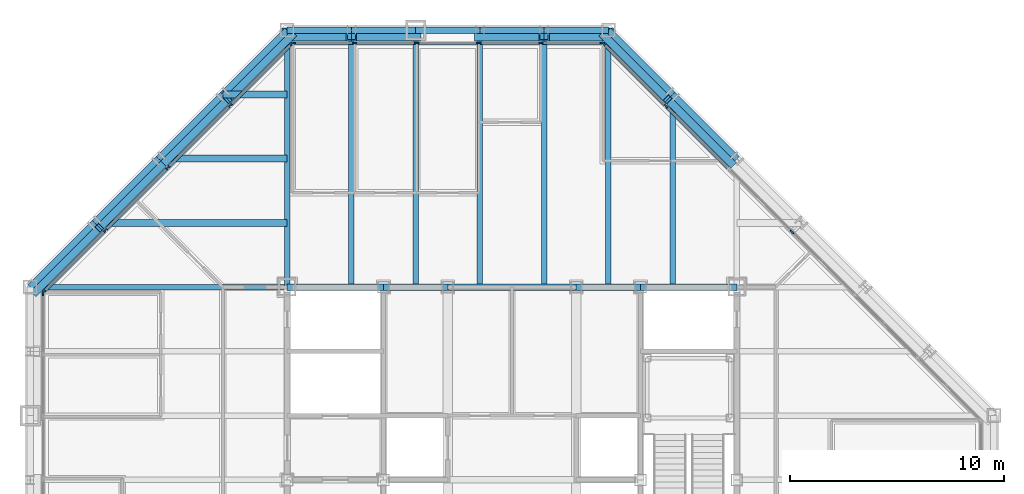
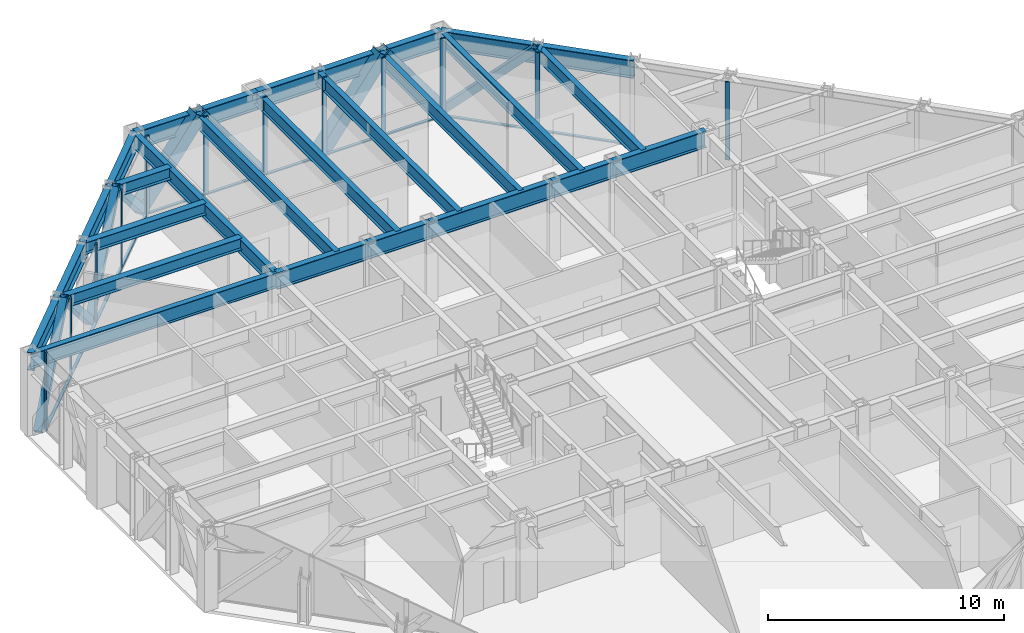
# One storey, part 8 of 16: 36 members, 27 beams, 4 elements without a shape of their own.
"""IFC4 building model written with IfcOpenShell, lengths in metres."""

from ifc_helpers import new_model, si_unit, direction, frame, origin, origin_2d, place, context, subcontext, project, spatial, rectangle, hollow_rectangle, i_section, extrude, material, layer, layer_set, material_profile, profile_set, type_object, element, aggregate, save


model = new_model("IFC4")

# Units and contexts
model_context = context("Model", 3, precision=1e-05, world=origin(), true_north=direction((0.0, 1.0)))
body_context = subcontext(model_context, "Body", "Model", "MODEL_VIEW")
ifc_project = project(units=[si_unit("LENGTHUNIT", "METRE"), si_unit("AREAUNIT", "SQUARE_METRE"), si_unit("VOLUMEUNIT", "CUBIC_METRE"), si_unit("PLANEANGLEUNIT", "RADIAN"), si_unit("MASSUNIT", "GRAM", prefix="KILO")], contexts=[model_context])

# Site, building, storey
site_placement = place(None, origin())
site = spatial("IfcSite", under=ifc_project, at=site_placement, CompositionType="ELEMENT")
building_placement = place(site_placement, origin())
building = spatial("IfcBuilding", under=site, at=building_placement, Name="Chuquiago Exchange Tower", CompositionType="ELEMENT")
storey_placement = place(building_placement, frame((0.0, 0.0, 239.10009765625)))
storey = spatial("IfcBuildingStorey", under=building, at=storey_placement, Name="L53", CompositionType="ELEMENT", Elevation=239.10009765625)

# Beams
ifc_material_1 = material(Name="Steel ASTM A992", Category="steel")
ifc_material_profile_1 = material_profile(ifc_material_1, i_section(OverallWidth=0.25390625, OverallDepth=0.683349609375, WebThickness=0.012451171875, FlangeThickness=0.018798828125, at=origin_2d()), Name="W27X94")
ifc_profile_set_1 = profile_set([ifc_material_profile_1], Name="Steel ASTM A992")
beam_type_1 = type_object("IfcBeamType", Name="B1 W27X94", PredefinedType="BEAM", material=ifc_profile_set_1)
for number, where, z_axis, x_axis, name in (
    (1, (15.0, 33.0, 3.6982421875), (0.0, 1.0, 0.0), (-1.0, 0.0, 0.0), "FB-L54-infill-15_33-15_45-0"),
    (2, (18.0, 33.0, 3.6982421875), (0.0, 1.0, 0.0), (-1.0, 0.0, 0.0), "FB-L54-infill-18_33-18_45-0"),
    (3, (21.0, 33.0, 3.6982421875), (0.0, 1.0, 0.0), (-1.0, 0.0, 0.0), "FB-L54-infill-21_33-21_45-0"),
    (4, (24.0, 33.0, 3.6982421875), (0.0, 1.0, 0.0), (-1.0, 0.0, 0.0), "FB-L54-infill-24_33-24_45-0"),
    (5, (27.0, 33.0, 3.6982421875), (0.0, 1.0, 0.0), (-1.0, 0.0, 0.0), "FB-L54-infill-27_33-27_45-0"),
):
    element("IfcBeam", number, at=place(storey_placement, frame(where, z_axis=z_axis, x_axis=x_axis)), inside=storey, type_object=beam_type_1, Name=name, PredefinedType="BEAM", context=body_context, shape_type="SweptSolid", body=[
        extrude(i_section(OverallWidth=0.25390625, OverallDepth=0.683349609375, WebThickness=0.012451171875, FlangeThickness=0.018798828125, at=origin_2d()), origin(), (0.0, 0.0, 1.0), 12.0),
    ])
beam_1_placement = place(storey_placement, frame((30.0, 33.0, 3.6982421875), z_axis=(0.0, 1.0, 0.0), x_axis=(-1.0, 0.0, 0.0)))
element("IfcBeam", 6, at=beam_1_placement, inside=storey, type_object=beam_type_1, Name="FB-L54-infill-30_33-30_42-0", PredefinedType="BEAM", context=body_context, shape_type="SweptSolid", body=[
    extrude(i_section(OverallWidth=0.25390625, OverallDepth=0.683349609375, WebThickness=0.012451171875, FlangeThickness=0.018798828125, at=origin_2d()), origin(), (0.0, 0.0, 1.0), 9.0),
])
ifc_material_2 = material(Name="Steel ASTM A992", Category="steel")
ifc_material_profile_2 = material_profile(ifc_material_2, i_section(OverallWidth=0.3251953125, OverallDepth=0.612060546875, WebThickness=0.0126953125, FlangeThickness=0.01904296875, at=origin_2d()), Name="W24X104")
ifc_profile_set_2 = profile_set([ifc_material_profile_2], Name="Steel ASTM A992")
beam_type_2 = type_object("IfcBeamType", Name="B2 W24X104", PredefinedType="BEAM", material=ifc_profile_set_2)
beam_2_placement = place(storey_placement, frame((12.0, 36.0, 3.73388671875), z_axis=(-1.0, 0.0, 0.0), x_axis=(0.0, -1.0, 0.0)))
element("IfcBeam", 7, at=beam_2_placement, inside=storey, type_object=beam_type_2, Name="FB-L54-corner-12_36-3_36-0", PredefinedType="BEAM", context=body_context, shape_type="SweptSolid", body=[
    extrude(i_section(OverallWidth=0.3251953125, OverallDepth=0.612060546875, WebThickness=0.0126953125, FlangeThickness=0.01904296875, at=origin_2d()), origin(), (0.0, 0.0, 1.0), 9.0),
])
beam_3_placement = place(storey_placement, frame((12.0, 39.0, 3.73388671875), z_axis=(-1.0, 0.0, 0.0), x_axis=(0.0, -1.0, 0.0)))
element("IfcBeam", 8, at=beam_3_placement, inside=storey, type_object=beam_type_2, Name="FB-L54-corner-12_39-6_39-0", PredefinedType="BEAM", context=body_context, shape_type="SweptSolid", body=[
    extrude(i_section(OverallWidth=0.3251953125, OverallDepth=0.612060546875, WebThickness=0.0126953125, FlangeThickness=0.01904296875, at=origin_2d()), origin(), (0.0, 0.0, 1.0), 6.0),
])
beam_4_placement = place(storey_placement, frame((12.0, 42.0, 3.73388671875), z_axis=(-1.0, 0.0, 0.0), x_axis=(0.0, -1.0, 0.0)))
element("IfcBeam", 9, at=beam_4_placement, inside=storey, type_object=beam_type_2, Name="FB-L54-corner-12_42-9_42-0", PredefinedType="BEAM", context=body_context, shape_type="SweptSolid", body=[
    extrude(i_section(OverallWidth=0.3251953125, OverallDepth=0.612060546875, WebThickness=0.0126953125, FlangeThickness=0.01904296875, at=origin_2d()), origin(), (0.0, 0.0, 1.0), 3.0),
])
ifc_material_3 = material(Name="Steel ASTM A992", Category="steel")
ifc_material_profile_3 = material_profile(ifc_material_3, i_section(OverallWidth=0.2919921875, OverallDepth=0.8583984375, WebThickness=0.01708984375, FlangeThickness=0.031005859375, at=origin_2d()), Name="W33X169")
ifc_profile_set_3 = profile_set([ifc_material_profile_3], Name="Steel ASTM A992")
beam_type_3 = type_object("IfcBeamType", Name="B3 W33X169", PredefinedType="BEAM", material=ifc_profile_set_3)
beam_5_placement = place(storey_placement, frame((12.0, 33.0, 3.610595703125), z_axis=(1.0, 0.0, 0.0), x_axis=(0.0, 1.0, 0.0)))
element("IfcBeam", 10, at=beam_5_placement, inside=storey, type_object=beam_type_3, Name="CB-L54-12_33-16.5_33", PredefinedType="BEAM", context=body_context, shape_type="SweptSolid", body=[
    extrude(i_section(OverallWidth=0.2919921875, OverallDepth=0.8583984375, WebThickness=0.01708984375, FlangeThickness=0.031005859375, at=origin_2d()), origin(), (0.0, 0.0, 1.0), 4.5),
])
beam_6_placement = place(storey_placement, frame((16.5, 33.0, 3.610595703125), z_axis=(1.0, 0.0, 0.0), x_axis=(0.0, 1.0, 0.0)))
element("IfcBeam", 11, at=beam_6_placement, inside=storey, type_object=beam_type_3, Name="CB-L54-16.5_33-19.5_33", PredefinedType="BEAM", context=body_context, shape_type="SweptSolid", body=[
    extrude(i_section(OverallWidth=0.2919921875, OverallDepth=0.8583984375, WebThickness=0.01708984375, FlangeThickness=0.031005859375, at=origin_2d()), origin(), (0.0, 0.0, 1.0), 3.0),
])
beam_7_placement = place(storey_placement, frame((19.5, 33.0, 3.610595703125), z_axis=(1.0, 0.0, 0.0), x_axis=(0.0, 1.0, 0.0)))
element("IfcBeam", 12, at=beam_7_placement, inside=storey, type_object=beam_type_3, Name="CB-L54-19.5_33-25.5_33", PredefinedType="BEAM", context=body_context, shape_type="SweptSolid", body=[
    extrude(i_section(OverallWidth=0.2919921875, OverallDepth=0.8583984375, WebThickness=0.01708984375, FlangeThickness=0.031005859375, at=origin_2d()), origin(), (0.0, 0.0, 1.0), 6.0),
])
beam_8_placement = place(storey_placement, frame((25.5, 33.0, 3.610595703125), z_axis=(1.0, 0.0, 0.0), x_axis=(0.0, 1.0, 0.0)))
element("IfcBeam", 13, at=beam_8_placement, inside=storey, type_object=beam_type_3, Name="CB-L54-25.5_33-28.5_33", PredefinedType="BEAM", context=body_context, shape_type="SweptSolid", body=[
    extrude(i_section(OverallWidth=0.2919921875, OverallDepth=0.8583984375, WebThickness=0.01708984375, FlangeThickness=0.031005859375, at=origin_2d()), origin(), (0.0, 0.0, 1.0), 3.0),
])
beam_9_placement = place(storey_placement, frame((28.5, 33.0, 3.610595703125), z_axis=(1.0, 0.0, 0.0), x_axis=(0.0, 1.0, 0.0)))
element("IfcBeam", 14, at=beam_9_placement, inside=storey, type_object=beam_type_3, Name="CB-L54-28.5_33-33_33", PredefinedType="BEAM", context=body_context, shape_type="SweptSolid", body=[
    extrude(i_section(OverallWidth=0.2919921875, OverallDepth=0.8583984375, WebThickness=0.01708984375, FlangeThickness=0.031005859375, at=origin_2d()), origin(), (0.0, 0.0, 1.0), 4.5),
])

# Curtain wall, members
ifc_material_4 = material(Name="Aluminium curtain wall system", Category="aluminium")
ifc_layer_1 = layer(ifc_material_4, 0.22509765625)
ifc_layer_set_1 = layer_set([ifc_layer_1], Name="CW2 office curtain wall")
curtain_wall_type_1 = type_object("IfcCurtainWallType", Name="CW2 office curtain wall", PredefinedType="NOTDEFINED", material=ifc_layer_set_1)
curtain_wall_1_placement = place(storey_placement, origin())
curtain_wall_1 = element("IfcCurtainWall", 15, at=curtain_wall_1_placement, inside=storey, type_object=curtain_wall_type_1, Name="CW2 curtain wall L53", PredefinedType="NOTDEFINED")
ifc_material_5 = material(Name="Aluminium mullion, pale anodised", Category="aluminium")
ifc_material_profile_4 = material_profile(ifc_material_5, rectangle(XDim=0.06494140625, YDim=0.22509765625, at=origin_2d()), Name="AL 65x225")
ifc_profile_set_4 = profile_set([ifc_material_profile_4], Name="Aluminium mullion, pale anodised")
member_type_1 = type_object("IfcMemberType", Name="CW2-M mullion 65x225", PredefinedType="MULLION", material=ifc_profile_set_4)
member_1_placement = place(storey_placement, frame((26.718994140625, 44.39990234375, 0.0), z_axis=(0.0, 0.0, 1.0), x_axis=(0.0, -1.0, 0.0)))
member_1 = element("IfcMember", 16, at=member_1_placement, type_object=member_type_1, Name="CW2 mullion 1", PredefinedType="MULLION", context=body_context, shape_type="SweptSolid", body=[
    extrude(rectangle(XDim=0.06494140625, YDim=0.22509765625, at=origin_2d()), origin(), (0.0, 0.0, 1.0), 4.039794921875),
])
member_2_placement = place(storey_placement, frame((23.850830078125, 44.39990234375, 0.0), z_axis=(0.0, 0.0, 1.0), x_axis=(0.0, -1.0, 0.0)))
member_2 = element("IfcMember", 17, at=member_2_placement, type_object=member_type_1, Name="CW2 mullion 2", PredefinedType="MULLION", context=body_context, shape_type="SweptSolid", body=[
    extrude(rectangle(XDim=0.06494140625, YDim=0.22509765625, at=origin_2d()), origin(), (0.0, 0.0, 1.0), 4.039794921875),
])
member_3_placement = place(storey_placement, frame((20.9501953125, 44.39990234375, 0.0), z_axis=(0.0, 0.0, 1.0), x_axis=(0.0, -1.0, 0.0)))
member_3 = element("IfcMember", 18, at=member_3_placement, type_object=member_type_1, Name="CW2 mullion 3", PredefinedType="MULLION", context=body_context, shape_type="SweptSolid", body=[
    extrude(rectangle(XDim=0.06494140625, YDim=0.22509765625, at=origin_2d()), origin(), (0.0, 0.0, 1.0), 4.039794921875),
])
member_4_placement = place(storey_placement, frame((18.0498046875, 44.39990234375, 0.0), z_axis=(0.0, 0.0, 1.0), x_axis=(0.0, -1.0, 0.0)))
member_4 = element("IfcMember", 19, at=member_4_placement, type_object=member_type_1, Name="CW2 mullion 4", PredefinedType="MULLION", context=body_context, shape_type="SweptSolid", body=[
    extrude(rectangle(XDim=0.06494140625, YDim=0.22509765625, at=origin_2d()), origin(), (0.0, 0.0, 1.0), 4.039794921875),
])
member_5_placement = place(storey_placement, frame((15.149169921875, 44.39990234375, 0.0), z_axis=(0.0, 0.0, 1.0), x_axis=(0.0, -1.0, 0.0)))
member_5 = element("IfcMember", 20, at=member_5_placement, type_object=member_type_1, Name="CW2 mullion 5", PredefinedType="MULLION", context=body_context, shape_type="SweptSolid", body=[
    extrude(rectangle(XDim=0.06494140625, YDim=0.22509765625, at=origin_2d()), origin(), (0.0, 0.0, 1.0), 4.039794921875),
])
member_6_placement = place(storey_placement, frame((12.281005859375, 44.39990234375, 0.0), z_axis=(0.0, 0.0, 1.0), x_axis=(0.0, -1.0, 0.0)))
member_6 = element("IfcMember", 21, at=member_6_placement, type_object=member_type_1, Name="CW2 mullion 6", PredefinedType="MULLION", context=body_context, shape_type="SweptSolid", body=[
    extrude(rectangle(XDim=0.06494140625, YDim=0.22509765625, at=origin_2d()), origin(), (0.0, 0.0, 1.0), 4.039794921875),
])

# Curtain wall, member
curtain_wall_2_placement = place(storey_placement, origin())
curtain_wall_2 = element("IfcCurtainWall", 22, at=curtain_wall_2_placement, inside=storey, type_object=curtain_wall_type_1, Name="CW2 curtain wall L53", PredefinedType="NOTDEFINED")
member_7_placement = place(storey_placement, frame((0.60009765625, 32.718994140625, 0.0), z_axis=(0.0, 0.0, 1.0), x_axis=(1.0, 0.0, 0.0)))
member_7 = element("IfcMember", 23, at=member_7_placement, type_object=member_type_1, Name="CW2 mullion 1", PredefinedType="MULLION", context=body_context, shape_type="SweptSolid", body=[
    extrude(rectangle(XDim=0.06494140625, YDim=0.22509765625, at=origin_2d()), origin(), (0.0, 0.0, 1.0), 4.039794921875),
])
aggregate(curtain_wall_2, [member_7])

# Member
ifc_material_6 = material(Name="Aluminium transom, pale anodised", Category="aluminium")
ifc_material_profile_5 = material_profile(ifc_material_6, rectangle(XDim=0.139892578125, YDim=0.06494140625, at=origin_2d()), Name="AL 140x65")
ifc_profile_set_5 = profile_set([ifc_material_profile_5], Name="Aluminium transom, pale anodised")
member_type_2 = type_object("IfcMemberType", Name="CW2-T transom 65x140", PredefinedType="MULLION", material=ifc_profile_set_5)
member_8_placement = place(storey_placement, frame((26.6865234375, 44.39990234375, 0.032470703125), z_axis=(-1.0, 0.0, 0.0), x_axis=(0.0, -1.0, 0.0)))
member_8 = element("IfcMember", 24, at=member_8_placement, type_object=member_type_2, Name="CW2 transom 1.1", PredefinedType="MULLION", context=body_context, shape_type="SweptSolid", body=[
    extrude(rectangle(XDim=0.139892578125, YDim=0.06494140625, at=origin_2d()), origin(), (0.0, 0.0, 1.0), 2.80322265625),
])

member_9_placement = place(storey_placement, frame((23.818359375, 44.39990234375, 0.032470703125), z_axis=(-1.0, 0.0, 0.0), x_axis=(0.0, -1.0, 0.0)))
member_9 = element("IfcMember", 25, at=member_9_placement, type_object=member_type_2, Name="CW2 transom 2.1", PredefinedType="MULLION", context=body_context, shape_type="SweptSolid", body=[
    extrude(rectangle(XDim=0.139892578125, YDim=0.06494140625, at=origin_2d()), origin(), (0.0, 0.0, 1.0), 2.83544921875),
])

member_10_placement = place(storey_placement, frame((20.917724609375, 44.39990234375, 0.032470703125), z_axis=(-1.0, 0.0, 0.0), x_axis=(0.0, -1.0, 0.0)))
member_10 = element("IfcMember", 26, at=member_10_placement, type_object=member_type_2, Name="CW2 transom 3.1", PredefinedType="MULLION", context=body_context, shape_type="SweptSolid", body=[
    extrude(rectangle(XDim=0.139892578125, YDim=0.06494140625, at=origin_2d()), origin(), (0.0, 0.0, 1.0), 2.83544921875),
])

member_11_placement = place(storey_placement, frame((18.01708984375, 44.39990234375, 0.032470703125), z_axis=(-1.0, 0.0, 0.0), x_axis=(0.0, -1.0, 0.0)))
member_11 = element("IfcMember", 27, at=member_11_placement, type_object=member_type_2, Name="CW2 transom 4.1", PredefinedType="MULLION", context=body_context, shape_type="SweptSolid", body=[
    extrude(rectangle(XDim=0.139892578125, YDim=0.06494140625, at=origin_2d()), origin(), (0.0, 0.0, 1.0), 2.83544921875),
])

member_12_placement = place(storey_placement, frame((15.11669921875, 44.39990234375, 0.032470703125), z_axis=(-1.0, 0.0, 0.0), x_axis=(0.0, -1.0, 0.0)))
member_12 = element("IfcMember", 28, at=member_12_placement, type_object=member_type_2, Name="CW2 transom 5.1", PredefinedType="MULLION", context=body_context, shape_type="SweptSolid", body=[
    extrude(rectangle(XDim=0.139892578125, YDim=0.06494140625, at=origin_2d()), origin(), (0.0, 0.0, 1.0), 2.80322265625),
])

aggregate(curtain_wall_1, [member_1, member_2, member_3, member_4, member_5, member_6, member_8, member_9, member_10, member_11, member_12])

# Curtain wall, members
ifc_material_7 = material(Name="Aluminium curtain wall system", Category="aluminium")
ifc_layer_2 = layer(ifc_material_7, 0.199951171875)
ifc_layer_set_2 = layer_set([ifc_layer_2], Name="CW3 facet curtain wall")
curtain_wall_type_2 = type_object("IfcCurtainWallType", Name="CW3 facet curtain wall", PredefinedType="NOTDEFINED", material=ifc_layer_set_2)
curtain_wall_3_placement = place(storey_placement, origin())
curtain_wall_3 = element("IfcCurtainWall", 29, at=curtain_wall_3_placement, inside=storey, type_object=curtain_wall_type_2, Name="CW3 curtain wall L53", PredefinedType="NOTDEFINED")
ifc_material_8 = material(Name="Aluminium mullion, pale anodised", Category="aluminium")
ifc_material_profile_6 = material_profile(ifc_material_8, rectangle(XDim=0.06494140625, YDim=0.199951171875, at=origin_2d()), Name="AL 65x200")
ifc_profile_set_6 = profile_set([ifc_material_profile_6], Name="Aluminium mullion, pale anodised")
member_type_3 = type_object("IfcMemberType", Name="CW3-M mullion 65x200", PredefinedType="MULLION", material=ifc_profile_set_6)
member_13_placement = place(storey_placement, frame((35.57568359375, 35.57568359375, 0.0), z_axis=(0.0, 0.0, 1.0), x_axis=(-0.707106781187, -0.707106781187, 0.0)))
member_13 = element("IfcMember", 30, at=member_13_placement, type_object=member_type_3, Name="CW3 mullion 4", PredefinedType="MULLION", context=body_context, shape_type="SweptSolid", body=[
    extrude(rectangle(XDim=0.06494140625, YDim=0.199951171875, at=origin_2d()), origin(), (0.0, 0.0, 1.0), 4.039794921875),
])
member_14_placement = place(storey_placement, frame((29.69287109375, 41.45849609375, 0.0), z_axis=(0.0, 0.0, 1.0), x_axis=(-0.707106781187, -0.707106781187, 0.0)))
member_14 = element("IfcMember", 31, at=member_14_placement, type_object=member_type_3, Name="CW3 mullion 6", PredefinedType="MULLION", context=body_context, shape_type="SweptSolid", body=[
    extrude(rectangle(XDim=0.06494140625, YDim=0.199951171875, at=origin_2d()), origin(), (0.0, 0.0, 1.0), 4.039794921875),
])
member_15_placement = place(storey_placement, frame((26.7744140625, 44.376953125, 0.0), z_axis=(0.0, 0.0, 1.0), x_axis=(-0.707106781187, -0.707106781187, 0.0)))
member_15 = element("IfcMember", 32, at=member_15_placement, type_object=member_type_3, Name="CW3 mullion 7", PredefinedType="MULLION", context=body_context, shape_type="SweptSolid", body=[
    extrude(rectangle(XDim=0.06494140625, YDim=0.199951171875, at=origin_2d()), origin(), (0.0, 0.0, 1.0), 4.039794921875),
])

curtain_wall_4_placement = place(storey_placement, origin())
curtain_wall_4 = element("IfcCurtainWall", 33, at=curtain_wall_4_placement, inside=storey, type_object=curtain_wall_type_2, Name="CW3 curtain wall L53", PredefinedType="NOTDEFINED")
member_16_placement = place(storey_placement, frame((12.2255859375, 44.376953125, 0.0), z_axis=(0.0, 0.0, 1.0), x_axis=(0.707106781187, -0.707106781187, 0.0)))
member_16 = element("IfcMember", 34, at=member_16_placement, type_object=member_type_3, Name="CW3 mullion 1", PredefinedType="MULLION", context=body_context, shape_type="SweptSolid", body=[
    extrude(rectangle(XDim=0.06494140625, YDim=0.199951171875, at=origin_2d()), origin(), (0.0, 0.0, 1.0), 4.039794921875),
])
member_17_placement = place(storey_placement, frame((9.33642578125, 41.48779296875, 0.0), z_axis=(0.0, 0.0, 1.0), x_axis=(0.707106781187, -0.707106781187, 0.0)))
member_17 = element("IfcMember", 35, at=member_17_placement, type_object=member_type_3, Name="CW3 mullion 2", PredefinedType="MULLION", context=body_context, shape_type="SweptSolid", body=[
    extrude(rectangle(XDim=0.06494140625, YDim=0.199951171875, at=origin_2d()), origin(), (0.0, 0.0, 1.0), 4.039794921875),
])
member_18_placement = place(storey_placement, frame((6.42431640625, 38.57568359375, 0.0), z_axis=(0.0, 0.0, 1.0), x_axis=(0.707106781187, -0.707106781187, 0.0)))
member_18 = element("IfcMember", 36, at=member_18_placement, type_object=member_type_3, Name="CW3 mullion 3", PredefinedType="MULLION", context=body_context, shape_type="SweptSolid", body=[
    extrude(rectangle(XDim=0.06494140625, YDim=0.199951171875, at=origin_2d()), origin(), (0.0, 0.0, 1.0), 4.039794921875),
])
member_19_placement = place(storey_placement, frame((3.51220703125, 35.66357421875, 0.0), z_axis=(0.0, 0.0, 1.0), x_axis=(0.707106781187, -0.707106781187, 0.0)))
member_19 = element("IfcMember", 37, at=member_19_placement, type_object=member_type_3, Name="CW3 mullion 4", PredefinedType="MULLION", context=body_context, shape_type="SweptSolid", body=[
    extrude(rectangle(XDim=0.06494140625, YDim=0.199951171875, at=origin_2d()), origin(), (0.0, 0.0, 1.0), 4.039794921875),
])
member_20_placement = place(storey_placement, frame((0.623046875, 32.7744140625, 0.0), z_axis=(0.0, 0.0, 1.0), x_axis=(0.707106781187, -0.707106781187, 0.0)))
member_20 = element("IfcMember", 38, at=member_20_placement, type_object=member_type_3, Name="CW3 mullion 5", PredefinedType="MULLION", context=body_context, shape_type="SweptSolid", body=[
    extrude(rectangle(XDim=0.06494140625, YDim=0.199951171875, at=origin_2d()), origin(), (0.0, 0.0, 1.0), 4.039794921875),
])

# Member
ifc_material_9 = material(Name="Aluminium transom, pale anodised", Category="aluminium")
ifc_material_profile_7 = material_profile(ifc_material_9, rectangle(XDim=0.139892578125, YDim=0.06494140625, at=origin_2d()), Name="AL 140x65")
ifc_profile_set_7 = profile_set([ifc_material_profile_7], Name="Aluminium transom, pale anodised")
member_type_4 = type_object("IfcMemberType", Name="CW3-T transom 65x140", PredefinedType="MULLION", material=ifc_profile_set_7)
member_21_placement = place(storey_placement, frame((32.611328125, 38.5400390625, 0.032470703125), z_axis=(-0.707106781187, 0.707106781187, 0.0), x_axis=(-0.707106781187, -0.707106781187, 0.0)))
member_21 = element("IfcMember", 39, at=member_21_placement, type_object=member_type_4, Name="CW3 transom 5.1", PredefinedType="MULLION", context=body_context, shape_type="SweptSolid", body=[
    extrude(rectangle(XDim=0.139892578125, YDim=0.06494140625, at=origin_2d()), origin(), (0.0, 0.0, 1.0), 4.094970703125),
])

member_22_placement = place(storey_placement, frame((29.669921875, 41.4814453125, 0.032470703125), z_axis=(-0.707106781187, 0.707106781187, 0.0), x_axis=(-0.707106781187, -0.707106781187, 0.0)))
member_22 = element("IfcMember", 40, at=member_22_placement, type_object=member_type_4, Name="CW3 transom 6.1", PredefinedType="MULLION", context=body_context, shape_type="SweptSolid", body=[
    extrude(rectangle(XDim=0.139892578125, YDim=0.06494140625, at=origin_2d()), origin(), (0.0, 0.0, 1.0), 4.0625),
])

aggregate(curtain_wall_3, [member_13, member_14, member_15, member_21, member_22])

member_23_placement = place(storey_placement, frame((12.20263671875, 44.35400390625, 0.032470703125), z_axis=(-0.707106781187, -0.707106781187, 0.0), x_axis=(0.707106781187, -0.707106781187, 0.0)))
member_23 = element("IfcMember", 41, at=member_23_placement, type_object=member_type_4, Name="CW3 transom 1.1", PredefinedType="MULLION", context=body_context, shape_type="SweptSolid", body=[
    extrude(rectangle(XDim=0.139892578125, YDim=0.06494140625, at=origin_2d()), origin(), (0.0, 0.0, 1.0), 4.02099609375),
])

member_24_placement = place(storey_placement, frame((9.3134765625, 41.46484375, 0.032470703125), z_axis=(-0.707106781187, -0.707106781187, 0.0), x_axis=(0.707106781187, -0.707106781187, 0.0)))
member_24 = element("IfcMember", 42, at=member_24_placement, type_object=member_type_4, Name="CW3 transom 2.1", PredefinedType="MULLION", context=body_context, shape_type="SweptSolid", body=[
    extrude(rectangle(XDim=0.139892578125, YDim=0.06494140625, at=origin_2d()), origin(), (0.0, 0.0, 1.0), 4.053466796875),
])

member_25_placement = place(storey_placement, frame((6.4013671875, 38.552734375, 0.032470703125), z_axis=(-0.707106781187, -0.707106781187, 0.0), x_axis=(0.707106781187, -0.707106781187, 0.0)))
member_25 = element("IfcMember", 43, at=member_25_placement, type_object=member_type_4, Name="CW3 transom 3.1", PredefinedType="MULLION", context=body_context, shape_type="SweptSolid", body=[
    extrude(rectangle(XDim=0.139892578125, YDim=0.06494140625, at=origin_2d()), origin(), (0.0, 0.0, 1.0), 4.053466796875),
])

member_26_placement = place(storey_placement, frame((3.4892578125, 35.640625, 0.032470703125), z_axis=(-0.707106781187, -0.707106781187, 0.0), x_axis=(0.707106781187, -0.707106781187, 0.0)))
member_26 = element("IfcMember", 44, at=member_26_placement, type_object=member_type_4, Name="CW3 transom 4.1", PredefinedType="MULLION", context=body_context, shape_type="SweptSolid", body=[
    extrude(rectangle(XDim=0.139892578125, YDim=0.06494140625, at=origin_2d()), origin(), (0.0, 0.0, 1.0), 4.02099609375),
])

aggregate(curtain_wall_4, [member_16, member_17, member_18, member_19, member_20, member_23, member_24, member_25, member_26])

# Beams
ifc_material_10 = material(Name="Steel ASTM A992", Category="steel")
ifc_material_profile_8 = material_profile(ifc_material_10, i_section(OverallWidth=0.2666015625, OverallDepth=0.76953125, WebThickness=0.015625, FlangeThickness=0.025390625, at=origin_2d()), Name="W30X132")
ifc_profile_set_8 = profile_set([ifc_material_profile_8], Name="Steel ASTM A992")
beam_type_4 = type_object("IfcBeamType", Name="G1 W30X132", PredefinedType="BEAM", material=ifc_profile_set_8)
for number, where, z_axis, x_axis, name in (
    (45, (12.0, 33.0, 3.655029296875), (0.0, 1.0, 0.0), (-1.0, 0.0, 0.0), "FB-L54-girder-12_33-12_45-0"),
    (46, (12.0, 33.0, 3.655029296875), (-1.0, 0.0, 0.0), (0.0, -1.0, 0.0), "FB-L54-girder-12_33--0_33-0"),
):
    element("IfcBeam", number, at=place(storey_placement, frame(where, z_axis=z_axis, x_axis=x_axis)), inside=storey, type_object=beam_type_4, Name=name, PredefinedType="BEAM", context=body_context, shape_type="SweptSolid", body=[
        extrude(i_section(OverallWidth=0.2666015625, OverallDepth=0.76953125, WebThickness=0.015625, FlangeThickness=0.025390625, at=origin_2d()), origin(), (0.0, 0.0, 1.0), 12.0),
    ])

# Members
ifc_material_11 = material(Name="Steel ASTM A500 Grade C", Category="steel")
ifc_material_profile_9 = material_profile(ifc_material_11, hollow_rectangle(XDim=0.355712890625, YDim=0.355712890625, WallThickness=0.0146484375, at=origin_2d()), Name="HSS14X14X5/8")
ifc_profile_set_9 = profile_set([ifc_material_profile_9], Name="Steel ASTM A500 Grade C")
member_type_5 = type_object("IfcMemberType", Name="LB2 HSS14X14X5/8", PredefinedType="BRACE", material=ifc_profile_set_9)
for number, where, z_axis, x_axis, name in (
    (47, (32.7685546875, 38.7685546875, 0.0), (-0.51209198167, 0.51209198167, 0.689582195694), (-0.707106781187, -0.707106781187, 0.0), "LB-L53-33_39-30_42"),
    (48, (26.7685546875, 44.7685546875, 0.0), (0.51209198167, -0.51209198167, 0.689582195694), (0.707106781187, 0.707106781187, 0.0), "LB-L53-30_42-27_45"),
    (49, (12.2314453125, 44.7685546875, 0.0), (-0.51209198167, -0.51209198167, 0.689582195694), (0.707106781187, -0.707106781187, 0.0), "LB-L53-12_45-9_42"),
    (50, (6.2314453125, 38.7685546875, 0.0), (0.51209198167, 0.51209198167, 0.689582195694), (-0.707106781187, 0.707106781187, 0.0), "LB-L53-9_42-6_39"),
    (51, (6.2314453125, 38.7685546875, 0.0), (-0.51209198167, -0.51209198167, 0.689582195694), (0.707106781187, -0.707106781187, 0.0), "LB-L53-6_39-3_36"),
    (52, (0.2314453125, 32.7685546875, 0.0), (0.51209198167, 0.51209198167, 0.689582195694), (-0.707106781187, 0.707106781187, 0.0), "LB-L53-3_36-0_33"),
):
    element("IfcMember", number, at=place(storey_placement, frame(where, z_axis=z_axis, x_axis=x_axis)), inside=storey, type_object=member_type_5, Name=name, PredefinedType="BRACE", context=body_context, shape_type="SweptSolid", body=[
        extrude(hollow_rectangle(XDim=0.355712890625, YDim=0.355712890625, WallThickness=0.0146484375, at=origin_2d()), origin(), (0.0, 0.0, 1.0), 5.8583984375),
    ])
ifc_material_12 = material(Name="Steel ASTM A572 Grade 50", Category="steel")
ifc_material_profile_10 = material_profile(ifc_material_12, hollow_rectangle(XDim=0.60009765625, YDim=0.60009765625, WallThickness=0.06005859375, at=origin_2d()), Name="BOX600X600X60")
ifc_profile_set_10 = profile_set([ifc_material_profile_10], Name="Steel ASTM A572 Grade 50")
member_type_6 = type_object("IfcMemberType", Name="MB3 BOX600X600X60", PredefinedType="BRACE", material=ifc_profile_set_10)
for number, where, z_axis, x_axis, name in (
    (53, (27.0, 44.794921875, 0.0), (-0.596197146086, 0.0, 0.802838067732), (0.0, -1.0, 0.0), "Mega diagonal L53 N face"),
    (54, (21.0, 44.794921875, 0.0), (0.596197146086, 0.0, 0.802838067732), (0.0, 1.0, 0.0), "Mega diagonal L53 N face"),
    (55, (18.0, 44.794921875, 0.0), (-0.596197146086, 0.0, 0.802838067732), (0.0, -1.0, 0.0), "Mega diagonal L53 N face"),
    (56, (12.0, 44.794921875, 0.0), (0.596197146086, 0.0, 0.802838067732), (0.0, 1.0, 0.0), "Mega diagonal L53 N face"),
):
    element("IfcMember", number, at=place(storey_placement, frame(where, z_axis=z_axis, x_axis=x_axis)), inside=storey, type_object=member_type_6, Name=name, PredefinedType="BRACE", context=body_context, shape_type="SweptSolid", body=[
        extrude(hollow_rectangle(XDim=0.60009765625, YDim=0.60009765625, WallThickness=0.06005859375, at=origin_2d()), origin(), (0.0, 0.0, 1.0), 5.031982421875),
    ])

# Beams
ifc_material_13 = material(Name="Steel ASTM A992", Category="steel")
ifc_material_profile_11 = material_profile(ifc_material_13, i_section(OverallWidth=0.307373046875, OverallDepth=0.927001953125, WebThickness=0.01953125, FlangeThickness=0.031982421875, at=origin_2d()), Name="W36X194")
ifc_profile_set_11 = profile_set([ifc_material_profile_11], Name="Steel ASTM A992")
beam_type_5 = type_object("IfcBeamType", Name="SP3 W36X194", PredefinedType="SPANDREL", material=ifc_profile_set_11)
for number, where, z_axis, x_axis, name in (
    (57, (33.0, 39.0, 3.576416015625), (-0.707106781187, 0.707106781187, 0.0), (-0.707106781187, -0.707106781187, 0.0), "SPB-L54-33_39-30_42"),
    (58, (30.0, 42.0, 3.576416015625), (-0.707106781187, 0.707106781187, 0.0), (-0.707106781187, -0.707106781187, 0.0), "SPB-L54-30_42-27_45"),
):
    element("IfcBeam", number, at=place(storey_placement, frame(where, z_axis=z_axis, x_axis=x_axis)), inside=storey, type_object=beam_type_5, Name=name, PredefinedType="SPANDREL", context=body_context, shape_type="SweptSolid", body=[
        extrude(i_section(OverallWidth=0.307373046875, OverallDepth=0.927001953125, WebThickness=0.01953125, FlangeThickness=0.031982421875, at=origin_2d()), origin(), (0.0, 0.0, 1.0), 4.24267578125),
    ])
for number, where, z_axis, x_axis, name in (
    (59, (27.0, 45.0, 3.576416015625), (-1.0, 0.0, 0.0), (0.0, -1.0, 0.0), "SPB-L54-27_45-24_45"),
    (60, (24.0, 45.0, 3.576416015625), (-1.0, 0.0, 0.0), (0.0, -1.0, 0.0), "SPB-L54-24_45-21_45"),
    (61, (21.0, 45.0, 3.576416015625), (-1.0, 0.0, 0.0), (0.0, -1.0, 0.0), "SPB-L54-21_45-18_45"),
    (62, (18.0, 45.0, 3.576416015625), (-1.0, 0.0, 0.0), (0.0, -1.0, 0.0), "SPB-L54-18_45-15_45"),
    (63, (15.0, 45.0, 3.576416015625), (-1.0, 0.0, 0.0), (0.0, -1.0, 0.0), "SPB-L54-15_45-12_45"),
):
    element("IfcBeam", number, at=place(storey_placement, frame(where, z_axis=z_axis, x_axis=x_axis)), inside=storey, type_object=beam_type_5, Name=name, PredefinedType="SPANDREL", context=body_context, shape_type="SweptSolid", body=[
        extrude(i_section(OverallWidth=0.307373046875, OverallDepth=0.927001953125, WebThickness=0.01953125, FlangeThickness=0.031982421875, at=origin_2d()), origin(), (0.0, 0.0, 1.0), 3.0),
    ])
for number, where, z_axis, x_axis, name in (
    (64, (12.0, 45.0, 3.576416015625), (-0.707106781187, -0.707106781187, 0.0), (0.707106781187, -0.707106781187, 0.0), "SPB-L54-12_45-9_42"),
    (65, (9.0, 42.0, 3.576416015625), (-0.707106781187, -0.707106781187, 0.0), (0.707106781187, -0.707106781187, 0.0), "SPB-L54-9_42-6_39"),
    (66, (6.0, 39.0, 3.576416015625), (-0.707106781187, -0.707106781187, 0.0), (0.707106781187, -0.707106781187, 0.0), "SPB-L54-6_39-3_36"),
    (67, (3.0, 36.0, 3.576416015625), (-0.707106781187, -0.707106781187, 0.0), (0.707106781187, -0.707106781187, 0.0), "SPB-L54-3_36-0_33"),
):
    element("IfcBeam", number, at=place(storey_placement, frame(where, z_axis=z_axis, x_axis=x_axis)), inside=storey, type_object=beam_type_5, Name=name, PredefinedType="SPANDREL", context=body_context, shape_type="SweptSolid", body=[
        extrude(i_section(OverallWidth=0.307373046875, OverallDepth=0.927001953125, WebThickness=0.01953125, FlangeThickness=0.031982421875, at=origin_2d()), origin(), (0.0, 0.0, 1.0), 4.24267578125),
    ])

save(model, "model.ifc")
